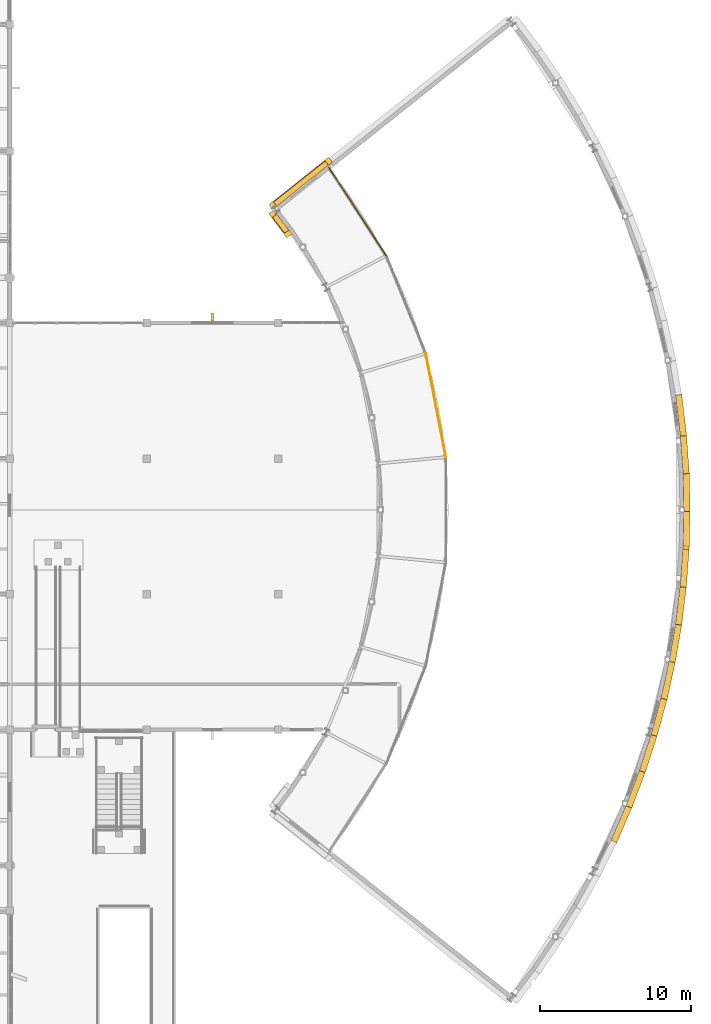
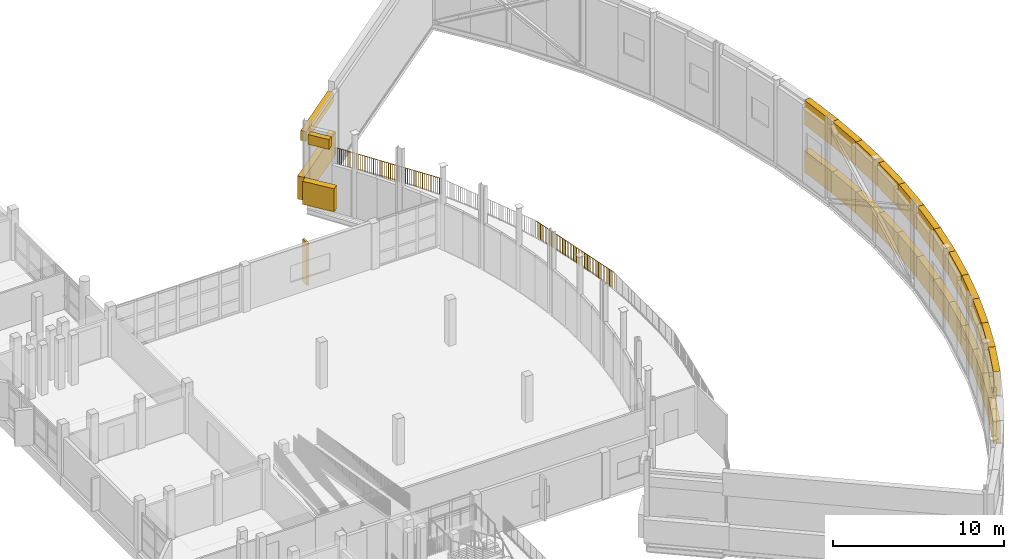
# One storey, part 103 of 104: 26 coverings, 3 shading devices, 2 railings.
"""IFC4 building model written with IfcOpenShell, lengths in metres."""

from ifc_helpers import new_model, si_unit, direction, frame, origin, origin_2d, place, context, subcontext, project, spatial, rectangle, circle, extrude, material, layer, layer_set, type_object, element, save


model = new_model("IFC4")

# Units and contexts
model_context = context("Model", 3, precision=1e-05, world=origin(), true_north=direction((0.0, 1.0)))
body_context = subcontext(model_context, "Body", "Model", "MODEL_VIEW")
ifc_project = project(units=[si_unit("LENGTHUNIT", "METRE"), si_unit("AREAUNIT", "SQUARE_METRE"), si_unit("VOLUMEUNIT", "CUBIC_METRE"), si_unit("PLANEANGLEUNIT", "RADIAN"), si_unit("MASSUNIT", "GRAM", prefix="KILO")], contexts=[model_context])

# Site, building, storey
site_placement = place(None, origin())
site = spatial("IfcSite", under=ifc_project, at=site_placement, CompositionType="ELEMENT")
building_placement = place(site_placement, origin())
building = spatial("IfcBuilding", under=site, at=building_placement, Name="Vanh Quang Courtyard School", CompositionType="ELEMENT")
storey_placement = place(building_placement, frame((0.0, 0.0, 4.199951171875)))
storey = spatial("IfcBuildingStorey", under=building, at=storey_placement, Name="L01", CompositionType="ELEMENT", Elevation=4.199951171875)

# Coverings
ifc_material_1 = material(Name="White precast concrete C40/50", Category="concrete")
ifc_layer = layer(ifc_material_1, 0.419921875)
ifc_layer_set = layer_set([ifc_layer], Name="White precast concrete C40/50")
covering_type = type_object("IfcCoveringType", Name="COV-CLAD-WHITE", PredefinedType="CLADDING", material=ifc_layer_set)
covering_1_placement = place(storey_placement, frame((137.348388671875, 74.970947265625, 0.3251953125), z_axis=(0.0, 0.0, 1.0), x_axis=(-0.603486360302, 0.797373320929, 0.0)))
element("IfcCovering", 1, at=covering_1_placement, inside=storey, type_object=covering_type, Name="Covering CL-01 (L01)", PredefinedType="CLADDING", context=body_context, shape_type="SweptSolid", body=[
    extrude(rectangle(XDim=2.00927734375, YDim=0.419921875, at=origin_2d()), origin(), (0.0, 0.0, 1.0), 1.64990234375),
])
covering_2_placement = place(storey_placement, frame((138.703857421875, 77.662841796875, 0.3251953125), z_axis=(0.0, 0.0, 1.0), x_axis=(0.782608156852, 0.622514636638, 0.0)))
element("IfcCovering", 2, at=covering_2_placement, inside=storey, type_object=covering_type, Name="Covering CL-01 (L01)", PredefinedType="CLADDING", context=body_context, shape_type="SweptSolid", body=[
    extrude(rectangle(XDim=5.052001953125, YDim=0.419921875, at=origin_2d()), origin(), (0.0, 0.0, 1.0), 1.64990234375),
])
covering_3_placement = place(storey_placement, frame((160.021484375, 35.244140625, 0.47509765625), z_axis=(0.0, 0.0, 1.0), x_axis=(0.396827509647, 0.917893200535, 0.0)))
element("IfcCovering", 3, at=covering_3_placement, inside=storey, type_object=covering_type, Name="Covering CL-01 (L01)", PredefinedType="CLADDING", context=body_context, shape_type="SweptSolid", body=[
    extrude(rectangle(XDim=2.74560546875, YDim=0.419921875, at=origin_2d()), origin(), (0.0, 0.0, 1.0), 1.550048828125),
])
covering_4_placement = place(storey_placement, frame((160.021484375, 35.244140625, 3.875), z_axis=(0.0, 0.0, 1.0), x_axis=(0.396827509647, 0.917893200535, 0.0)))
element("IfcCovering", 4, at=covering_4_placement, inside=storey, type_object=covering_type, Name="Covering CL-01 (L01)", PredefinedType="CLADDING", context=body_context, shape_type="SweptSolid", body=[
    extrude(rectangle(XDim=2.74560546875, YDim=0.419921875, at=origin_2d()), origin(), (0.0, 0.0, 1.0), 1.75),
])
covering_5_placement = place(storey_placement, frame((160.9619140625, 37.572021484375, 0.47509765625), z_axis=(0.0, 0.0, 1.0), x_axis=(0.352168373381, 0.935936662809, 0.0)))
element("IfcCovering", 5, at=covering_5_placement, inside=storey, type_object=covering_type, Name="Covering CL-01 (L01)", PredefinedType="CLADDING", context=body_context, shape_type="SweptSolid", body=[
    extrude(rectangle(XDim=2.74560546875, YDim=0.419921875, at=origin_2d()), origin(), (0.0, 0.0, 1.0), 1.550048828125),
])
covering_6_placement = place(storey_placement, frame((160.9619140625, 37.572021484375, 3.875), z_axis=(0.0, 0.0, 1.0), x_axis=(0.352168373381, 0.935936662809, 0.0)))
element("IfcCovering", 6, at=covering_6_placement, inside=storey, type_object=covering_type, Name="Covering CL-01 (L01)", PredefinedType="CLADDING", context=body_context, shape_type="SweptSolid", body=[
    extrude(rectangle(XDim=2.74560546875, YDim=0.419921875, at=origin_2d()), origin(), (0.0, 0.0, 1.0), 1.75),
])
covering_7_placement = place(storey_placement, frame((161.789794921875, 39.9423828125, 0.47509765625), z_axis=(0.0, 0.0, 1.0), x_axis=(0.307024429971, 0.951701633602, 0.0)))
element("IfcCovering", 7, at=covering_7_placement, inside=storey, type_object=covering_type, Name="Covering CL-01 (L01)", PredefinedType="CLADDING", context=body_context, shape_type="SweptSolid", body=[
    extrude(rectangle(XDim=2.74560546875, YDim=0.419921875, at=origin_2d()), origin(), (0.0, 0.0, 1.0), 1.550048828125),
])
covering_8_placement = place(storey_placement, frame((161.789794921875, 39.9423828125, 3.875), z_axis=(0.0, 0.0, 1.0), x_axis=(0.307024429971, 0.951701633602, 0.0)))
element("IfcCovering", 8, at=covering_8_placement, inside=storey, type_object=covering_type, Name="Covering CL-01 (L01)", PredefinedType="CLADDING", context=body_context, shape_type="SweptSolid", body=[
    extrude(rectangle(XDim=2.74560546875, YDim=0.419921875, at=origin_2d()), origin(), (0.0, 0.0, 1.0), 1.75),
])
covering_9_placement = place(storey_placement, frame((162.502685546875, 42.349609375, 0.47509765625), z_axis=(0.0, 0.0, 1.0), x_axis=(0.261009993198, 0.965336098699, 0.0)))
element("IfcCovering", 9, at=covering_9_placement, inside=storey, type_object=covering_type, Name="Covering CL-01 (L01)", PredefinedType="CLADDING", context=body_context, shape_type="SweptSolid", body=[
    extrude(rectangle(XDim=2.74560546875, YDim=0.419921875, at=origin_2d()), origin(), (0.0, 0.0, 1.0), 1.550048828125),
])
covering_10_placement = place(storey_placement, frame((162.502685546875, 42.349609375, 3.875), z_axis=(0.0, 0.0, 1.0), x_axis=(0.261009993198, 0.965336098699, 0.0)))
element("IfcCovering", 10, at=covering_10_placement, inside=storey, type_object=covering_type, Name="Covering CL-01 (L01)", PredefinedType="CLADDING", context=body_context, shape_type="SweptSolid", body=[
    extrude(rectangle(XDim=2.74560546875, YDim=0.419921875, at=origin_2d()), origin(), (0.0, 0.0, 1.0), 1.75),
])
covering_11_placement = place(storey_placement, frame((163.099609375, 44.788330078125, 0.47509765625), z_axis=(0.0, 0.0, 1.0), x_axis=(0.214223913346, 0.976784579603, 0.0)))
element("IfcCovering", 11, at=covering_11_placement, inside=storey, type_object=covering_type, Name="Covering CL-01 (L01)", PredefinedType="CLADDING", context=body_context, shape_type="SweptSolid", body=[
    extrude(rectangle(XDim=2.74560546875, YDim=0.419921875, at=origin_2d()), origin(), (0.0, 0.0, 1.0), 1.550048828125),
])
covering_12_placement = place(storey_placement, frame((163.099609375, 44.788330078125, 3.875), z_axis=(0.0, 0.0, 1.0), x_axis=(0.214223913346, 0.976784579603, 0.0)))
element("IfcCovering", 12, at=covering_12_placement, inside=storey, type_object=covering_type, Name="Covering CL-01 (L01)", PredefinedType="CLADDING", context=body_context, shape_type="SweptSolid", body=[
    extrude(rectangle(XDim=2.74560546875, YDim=0.419921875, at=origin_2d()), origin(), (0.0, 0.0, 1.0), 1.75),
])
covering_13_placement = place(storey_placement, frame((163.57861328125, 47.2529296875, 0.47509765625), z_axis=(0.0, 0.0, 1.0), x_axis=(0.16728499015, 0.985908582005, 0.0)))
element("IfcCovering", 13, at=covering_13_placement, inside=storey, type_object=covering_type, Name="Covering CL-01 (L01)", PredefinedType="CLADDING", context=body_context, shape_type="SweptSolid", body=[
    extrude(rectangle(XDim=2.74560546875, YDim=0.419921875, at=origin_2d()), origin(), (0.0, 0.0, 1.0), 1.550048828125),
])
covering_14_placement = place(storey_placement, frame((163.57861328125, 47.2529296875, 3.875), z_axis=(0.0, 0.0, 1.0), x_axis=(0.16728499015, 0.985908582005, 0.0)))
element("IfcCovering", 14, at=covering_14_placement, inside=storey, type_object=covering_type, Name="Covering CL-01 (L01)", PredefinedType="CLADDING", context=body_context, shape_type="SweptSolid", body=[
    extrude(rectangle(XDim=2.74560546875, YDim=0.419921875, at=origin_2d()), origin(), (0.0, 0.0, 1.0), 1.75),
])
covering_15_placement = place(storey_placement, frame((163.93896484375, 49.73779296875, 0.47509765625), z_axis=(0.0, 0.0, 1.0), x_axis=(0.119617015862, 0.992820109343, 0.0)))
element("IfcCovering", 15, at=covering_15_placement, inside=storey, type_object=covering_type, Name="Covering CL-01 (L01)", PredefinedType="CLADDING", context=body_context, shape_type="SweptSolid", body=[
    extrude(rectangle(XDim=2.74560546875, YDim=0.419921875, at=origin_2d()), origin(), (0.0, 0.0, 1.0), 1.550048828125),
])
covering_16_placement = place(storey_placement, frame((163.93896484375, 49.73779296875, 3.875), z_axis=(0.0, 0.0, 1.0), x_axis=(0.119617015862, 0.992820109343, 0.0)))
element("IfcCovering", 16, at=covering_16_placement, inside=storey, type_object=covering_type, Name="Covering CL-01 (L01)", PredefinedType="CLADDING", context=body_context, shape_type="SweptSolid", body=[
    extrude(rectangle(XDim=2.74560546875, YDim=0.419921875, at=origin_2d()), origin(), (0.0, 0.0, 1.0), 1.75),
])
covering_17_placement = place(storey_placement, frame((164.179443359375, 52.23681640625, 0.47509765625), z_axis=(0.0, 0.0, 1.0), x_axis=(0.071845612485, 0.997415764848, 0.0)))
element("IfcCovering", 17, at=covering_17_placement, inside=storey, type_object=covering_type, Name="Covering CL-01 (L01)", PredefinedType="CLADDING", context=body_context, shape_type="SweptSolid", body=[
    extrude(rectangle(XDim=2.74560546875, YDim=0.419921875, at=origin_2d()), origin(), (0.0, 0.0, 1.0), 1.550048828125),
])
covering_18_placement = place(storey_placement, frame((164.179443359375, 52.23681640625, 3.875), z_axis=(0.0, 0.0, 1.0), x_axis=(0.071845612485, 0.997415764848, 0.0)))
element("IfcCovering", 18, at=covering_18_placement, inside=storey, type_object=covering_type, Name="Covering CL-01 (L01)", PredefinedType="CLADDING", context=body_context, shape_type="SweptSolid", body=[
    extrude(rectangle(XDim=2.74560546875, YDim=0.419921875, at=origin_2d()), origin(), (0.0, 0.0, 1.0), 1.75),
])
covering_19_placement = place(storey_placement, frame((164.300048828125, 54.74462890625, 0.47509765625), z_axis=(0.0, 0.0, 1.0), x_axis=(0.024083215021, 0.999709957315, 0.0)))
element("IfcCovering", 19, at=covering_19_placement, inside=storey, type_object=covering_type, Name="Covering CL-01 (L01)", PredefinedType="CLADDING", context=body_context, shape_type="SweptSolid", body=[
    extrude(rectangle(XDim=2.74560546875, YDim=0.419921875, at=origin_2d()), origin(), (0.0, 0.0, 1.0), 1.550048828125),
])
covering_20_placement = place(storey_placement, frame((164.300048828125, 54.74462890625, 3.875), z_axis=(0.0, 0.0, 1.0), x_axis=(0.024083215021, 0.999709957315, 0.0)))
element("IfcCovering", 20, at=covering_20_placement, inside=storey, type_object=covering_type, Name="Covering CL-01 (L01)", PredefinedType="CLADDING", context=body_context, shape_type="SweptSolid", body=[
    extrude(rectangle(XDim=2.74560546875, YDim=0.419921875, at=origin_2d()), origin(), (0.0, 0.0, 1.0), 1.75),
])
covering_21_placement = place(storey_placement, frame((164.300048828125, 57.25537109375, 0.47509765625), z_axis=(0.0, 0.0, 1.0), x_axis=(-0.024083215021, 0.999709957315, 0.0)))
element("IfcCovering", 21, at=covering_21_placement, inside=storey, type_object=covering_type, Name="Covering CL-01 (L01)", PredefinedType="CLADDING", context=body_context, shape_type="SweptSolid", body=[
    extrude(rectangle(XDim=2.74560546875, YDim=0.419921875, at=origin_2d()), origin(), (0.0, 0.0, 1.0), 1.550048828125),
])
covering_22_placement = place(storey_placement, frame((164.300048828125, 57.25537109375, 3.875), z_axis=(0.0, 0.0, 1.0), x_axis=(-0.024083215021, 0.999709957315, 0.0)))
element("IfcCovering", 22, at=covering_22_placement, inside=storey, type_object=covering_type, Name="Covering CL-01 (L01)", PredefinedType="CLADDING", context=body_context, shape_type="SweptSolid", body=[
    extrude(rectangle(XDim=2.74560546875, YDim=0.419921875, at=origin_2d()), origin(), (0.0, 0.0, 1.0), 1.75),
])
covering_23_placement = place(storey_placement, frame((164.179443359375, 59.76318359375, 0.47509765625), z_axis=(0.0, 0.0, 1.0), x_axis=(-0.071845612485, 0.997415764848, 0.0)))
element("IfcCovering", 23, at=covering_23_placement, inside=storey, type_object=covering_type, Name="Covering CL-01 (L01)", PredefinedType="CLADDING", context=body_context, shape_type="SweptSolid", body=[
    extrude(rectangle(XDim=2.74560546875, YDim=0.419921875, at=origin_2d()), origin(), (0.0, 0.0, 1.0), 1.550048828125),
])
covering_24_placement = place(storey_placement, frame((164.179443359375, 59.76318359375, 3.875), z_axis=(0.0, 0.0, 1.0), x_axis=(-0.071845612485, 0.997415764848, 0.0)))
element("IfcCovering", 24, at=covering_24_placement, inside=storey, type_object=covering_type, Name="Covering CL-01 (L01)", PredefinedType="CLADDING", context=body_context, shape_type="SweptSolid", body=[
    extrude(rectangle(XDim=2.74560546875, YDim=0.419921875, at=origin_2d()), origin(), (0.0, 0.0, 1.0), 1.75),
])
covering_25_placement = place(storey_placement, frame((163.93896484375, 62.26220703125, 0.47509765625), z_axis=(0.0, 0.0, 1.0), x_axis=(-0.119617015862, 0.992820109343, 0.0)))
element("IfcCovering", 25, at=covering_25_placement, inside=storey, type_object=covering_type, Name="Covering CL-01 (L01)", PredefinedType="CLADDING", context=body_context, shape_type="SweptSolid", body=[
    extrude(rectangle(XDim=2.74560546875, YDim=0.419921875, at=origin_2d()), origin(), (0.0, 0.0, 1.0), 1.550048828125),
])
covering_26_placement = place(storey_placement, frame((163.93896484375, 62.26220703125, 3.875), z_axis=(0.0, 0.0, 1.0), x_axis=(-0.119617015862, 0.992820109343, 0.0)))
element("IfcCovering", 26, at=covering_26_placement, inside=storey, type_object=covering_type, Name="Covering CL-01 (L01)", PredefinedType="CLADDING", context=body_context, shape_type="SweptSolid", body=[
    extrude(rectangle(XDim=2.74560546875, YDim=0.419921875, at=origin_2d()), origin(), (0.0, 0.0, 1.0), 1.75),
])

# Railings
ifc_material_2 = material(Name="Galvanised painted steel EN 10025-2 S355J2", Category="steel")
railing_type = type_object("IfcRailingType", Name="RAIL-GUARD-1150", PredefinedType="BALUSTRADE", material=ifc_material_2)
railing_1_placement = place(storey_placement, frame((148.33203125, 59.498291015625, 0.0)))
element("IfcRailing", 27, at=railing_1_placement, inside=storey, type_object=railing_type, Name="Railing GR-01 (L01)", PredefinedType="BALUSTRADE", context=body_context, shape_type="SweptSolid", body=[
    extrude(circle(Radius=0.02392578125, at=origin_2d()), frame((0.0, 0.0, 1.1259765625), z_axis=(-0.190825764709, 0.981623923671, 0.0), x_axis=(-0.981623923671, -0.190825764709, 0.0)), (0.0, 0.0, 1.0), 6.9970703125),
    extrude(circle(Radius=0.02099609375, at=origin_2d()), origin(), (0.0, 0.0, 1.0), 1.101806640625),
    extrude(circle(Radius=0.02099609375, at=origin_2d()), frame((-0.026611328125, 0.137451171875, 0.0)), (0.0, 0.0, 1.0), 1.101806640625),
    extrude(circle(Radius=0.02099609375, at=origin_2d()), frame((-0.053466796875, 0.274658203125, 0.0)), (0.0, 0.0, 1.0), 1.101806640625),
    extrude(circle(Radius=0.02099609375, at=origin_2d()), frame((-0.080078125, 0.412109375, 0.0)), (0.0, 0.0, 1.0), 1.101806640625),
    extrude(circle(Radius=0.02099609375, at=origin_2d()), frame((-0.10693359375, 0.549560546875, 0.0)), (0.0, 0.0, 1.0), 1.101806640625),
    extrude(circle(Radius=0.02099609375, at=origin_2d()), frame((-0.133544921875, 0.686767578125, 0.0)), (0.0, 0.0, 1.0), 1.101806640625),
    extrude(circle(Radius=0.02099609375, at=origin_2d()), frame((-0.16015625, 0.82421875, 0.0)), (0.0, 0.0, 1.0), 1.101806640625),
    extrude(circle(Radius=0.02099609375, at=origin_2d()), frame((-0.18701171875, 0.961669921875, 0.0)), (0.0, 0.0, 1.0), 1.101806640625),
    extrude(circle(Radius=0.02099609375, at=origin_2d()), frame((-0.213623046875, 1.098876953125, 0.0)), (0.0, 0.0, 1.0), 1.101806640625),
    extrude(circle(Radius=0.02099609375, at=origin_2d()), frame((-0.240234375, 1.236328125, 0.0)), (0.0, 0.0, 1.0), 1.101806640625),
    extrude(circle(Radius=0.02099609375, at=origin_2d()), frame((-0.26708984375, 1.373779296875, 0.0)), (0.0, 0.0, 1.0), 1.101806640625),
    extrude(circle(Radius=0.02099609375, at=origin_2d()), frame((-0.293701171875, 1.510986328125, 0.0)), (0.0, 0.0, 1.0), 1.101806640625),
    extrude(circle(Radius=0.02099609375, at=origin_2d()), frame((-0.320556640625, 1.6484375, 0.0)), (0.0, 0.0, 1.0), 1.101806640625),
    extrude(circle(Radius=0.02099609375, at=origin_2d()), frame((-0.34716796875, 1.785888671875, 0.0)), (0.0, 0.0, 1.0), 1.101806640625),
    extrude(circle(Radius=0.02099609375, at=origin_2d()), frame((-0.373779296875, 1.923095703125, 0.0)), (0.0, 0.0, 1.0), 1.101806640625),
    extrude(circle(Radius=0.02099609375, at=origin_2d()), frame((-0.400634765625, 2.060546875, 0.0)), (0.0, 0.0, 1.0), 1.101806640625),
    extrude(circle(Radius=0.02099609375, at=origin_2d()), frame((-0.42724609375, 2.197998046875, 0.0)), (0.0, 0.0, 1.0), 1.101806640625),
    extrude(circle(Radius=0.02099609375, at=origin_2d()), frame((-0.453857421875, 2.335205078125, 0.0)), (0.0, 0.0, 1.0), 1.101806640625),
    extrude(circle(Radius=0.02099609375, at=origin_2d()), frame((-0.480712890625, 2.47265625, 0.0)), (0.0, 0.0, 1.0), 1.101806640625),
    extrude(circle(Radius=0.02099609375, at=origin_2d()), frame((-0.50732421875, 2.610107421875, 0.0)), (0.0, 0.0, 1.0), 1.101806640625),
    extrude(circle(Radius=0.02099609375, at=origin_2d()), frame((-0.5341796875, 2.747314453125, 0.0)), (0.0, 0.0, 1.0), 1.101806640625),
    extrude(circle(Radius=0.02099609375, at=origin_2d()), frame((-0.560791015625, 2.884765625, 0.0)), (0.0, 0.0, 1.0), 1.101806640625),
    extrude(circle(Radius=0.02099609375, at=origin_2d()), frame((-0.58740234375, 3.022216796875, 0.0)), (0.0, 0.0, 1.0), 1.101806640625),
    extrude(circle(Radius=0.02099609375, at=origin_2d()), frame((-0.6142578125, 3.159423828125, 0.0)), (0.0, 0.0, 1.0), 1.101806640625),
    extrude(circle(Radius=0.02099609375, at=origin_2d()), frame((-0.640869140625, 3.296875, 0.0)), (0.0, 0.0, 1.0), 1.101806640625),
    extrude(circle(Radius=0.02099609375, at=origin_2d()), frame((-0.66748046875, 3.43408203125, 0.0)), (0.0, 0.0, 1.0), 1.101806640625),
    extrude(circle(Radius=0.02099609375, at=origin_2d()), frame((-0.6943359375, 3.571533203125, 0.0)), (0.0, 0.0, 1.0), 1.101806640625),
    extrude(circle(Radius=0.02099609375, at=origin_2d()), frame((-0.720947265625, 3.708984375, 0.0)), (0.0, 0.0, 1.0), 1.101806640625),
    extrude(circle(Radius=0.02099609375, at=origin_2d()), frame((-0.747802734375, 3.84619140625, 0.0)), (0.0, 0.0, 1.0), 1.101806640625),
    extrude(circle(Radius=0.02099609375, at=origin_2d()), frame((-0.7744140625, 3.983642578125, 0.0)), (0.0, 0.0, 1.0), 1.101806640625),
    extrude(circle(Radius=0.02099609375, at=origin_2d()), frame((-0.801025390625, 4.12109375, 0.0)), (0.0, 0.0, 1.0), 1.101806640625),
    extrude(circle(Radius=0.02099609375, at=origin_2d()), frame((-0.827880859375, 4.25830078125, 0.0)), (0.0, 0.0, 1.0), 1.101806640625),
    extrude(circle(Radius=0.02099609375, at=origin_2d()), frame((-0.8544921875, 4.395751953125, 0.0)), (0.0, 0.0, 1.0), 1.101806640625),
    extrude(circle(Radius=0.02099609375, at=origin_2d()), frame((-0.88134765625, 4.533203125, 0.0)), (0.0, 0.0, 1.0), 1.101806640625),
    extrude(circle(Radius=0.02099609375, at=origin_2d()), frame((-0.907958984375, 4.67041015625, 0.0)), (0.0, 0.0, 1.0), 1.101806640625),
    extrude(circle(Radius=0.02099609375, at=origin_2d()), frame((-0.9345703125, 4.807861328125, 0.0)), (0.0, 0.0, 1.0), 1.101806640625),
    extrude(circle(Radius=0.02099609375, at=origin_2d()), frame((-0.96142578125, 4.9453125, 0.0)), (0.0, 0.0, 1.0), 1.101806640625),
    extrude(circle(Radius=0.02099609375, at=origin_2d()), frame((-0.988037109375, 5.08251953125, 0.0)), (0.0, 0.0, 1.0), 1.101806640625),
    extrude(circle(Radius=0.02099609375, at=origin_2d()), frame((-1.0146484375, 5.219970703125, 0.0)), (0.0, 0.0, 1.0), 1.101806640625),
    extrude(circle(Radius=0.02099609375, at=origin_2d()), frame((-1.04150390625, 5.357421875, 0.0)), (0.0, 0.0, 1.0), 1.101806640625),
    extrude(circle(Radius=0.02099609375, at=origin_2d()), frame((-1.068115234375, 5.49462890625, 0.0)), (0.0, 0.0, 1.0), 1.101806640625),
    extrude(circle(Radius=0.02099609375, at=origin_2d()), frame((-1.094970703125, 5.632080078125, 0.0)), (0.0, 0.0, 1.0), 1.101806640625),
    extrude(circle(Radius=0.02099609375, at=origin_2d()), frame((-1.12158203125, 5.76953125, 0.0)), (0.0, 0.0, 1.0), 1.101806640625),
    extrude(circle(Radius=0.02099609375, at=origin_2d()), frame((-1.148193359375, 5.90673828125, 0.0)), (0.0, 0.0, 1.0), 1.101806640625),
    extrude(circle(Radius=0.02099609375, at=origin_2d()), frame((-1.175048828125, 6.044189453125, 0.0)), (0.0, 0.0, 1.0), 1.101806640625),
    extrude(circle(Radius=0.02099609375, at=origin_2d()), frame((-1.20166015625, 6.181640625, 0.0)), (0.0, 0.0, 1.0), 1.101806640625),
    extrude(circle(Radius=0.02099609375, at=origin_2d()), frame((-1.228271484375, 6.31884765625, 0.0)), (0.0, 0.0, 1.0), 1.101806640625),
    extrude(circle(Radius=0.02099609375, at=origin_2d()), frame((-1.255126953125, 6.456298828125, 0.0)), (0.0, 0.0, 1.0), 1.101806640625),
    extrude(circle(Radius=0.02099609375, at=origin_2d()), frame((-1.28173828125, 6.59375, 0.0)), (0.0, 0.0, 1.0), 1.101806640625),
    extrude(circle(Radius=0.02099609375, at=origin_2d()), frame((-1.30859375, 6.73095703125, 0.0)), (0.0, 0.0, 1.0), 1.101806640625),
    extrude(circle(Radius=0.02099609375, at=origin_2d()), frame((-1.335205078125, 6.868408203125, 0.0)), (0.0, 0.0, 1.0), 1.101806640625),
])
railing_2_placement = place(storey_placement, frame((144.3759765625, 72.853759765625, 0.0)))
element("IfcRailing", 28, at=railing_2_placement, inside=storey, type_object=railing_type, Name="Railing GR-01 (L01)", PredefinedType="BALUSTRADE", context=body_context, shape_type="SweptSolid", body=[
    extrude(circle(Radius=0.02392578125, at=origin_2d()), frame((0.0, 0.0, 1.1259765625), z_axis=(-0.544651024109, 0.838662782015, 0.0), x_axis=(-0.838662782015, -0.544651024109, 0.0)), (0.0, 0.0, 1.0), 6.996826171875),
    extrude(circle(Radius=0.02099609375, at=origin_2d()), origin(), (0.0, 0.0, 1.0), 1.101806640625),
    extrude(circle(Radius=0.02099609375, at=origin_2d()), frame((-0.076171875, 0.117431640625, 0.0)), (0.0, 0.0, 1.0), 1.101806640625),
    extrude(circle(Radius=0.02099609375, at=origin_2d()), frame((-0.15234375, 0.234619140625, 0.0)), (0.0, 0.0, 1.0), 1.101806640625),
    extrude(circle(Radius=0.02099609375, at=origin_2d()), frame((-0.228759765625, 0.35205078125, 0.0)), (0.0, 0.0, 1.0), 1.101806640625),
    extrude(circle(Radius=0.02099609375, at=origin_2d()), frame((-0.304931640625, 0.469482421875, 0.0)), (0.0, 0.0, 1.0), 1.101806640625),
    extrude(circle(Radius=0.02099609375, at=origin_2d()), frame((-0.381103515625, 0.5869140625, 0.0)), (0.0, 0.0, 1.0), 1.101806640625),
    extrude(circle(Radius=0.02099609375, at=origin_2d()), frame((-0.457275390625, 0.7041015625, 0.0)), (0.0, 0.0, 1.0), 1.101806640625),
    extrude(circle(Radius=0.02099609375, at=origin_2d()), frame((-0.533447265625, 0.821533203125, 0.0)), (0.0, 0.0, 1.0), 1.101806640625),
    extrude(circle(Radius=0.02099609375, at=origin_2d()), frame((-0.609619140625, 0.93896484375, 0.0)), (0.0, 0.0, 1.0), 1.101806640625),
    extrude(circle(Radius=0.02099609375, at=origin_2d()), frame((-0.68603515625, 1.05615234375, 0.0)), (0.0, 0.0, 1.0), 1.101806640625),
    extrude(circle(Radius=0.02099609375, at=origin_2d()), frame((-0.76220703125, 1.173583984375, 0.0)), (0.0, 0.0, 1.0), 1.101806640625),
    extrude(circle(Radius=0.02099609375, at=origin_2d()), frame((-0.83837890625, 1.291015625, 0.0)), (0.0, 0.0, 1.0), 1.101806640625),
    extrude(circle(Radius=0.02099609375, at=origin_2d()), frame((-0.91455078125, 1.408203125, 0.0)), (0.0, 0.0, 1.0), 1.101806640625),
    extrude(circle(Radius=0.02099609375, at=origin_2d()), frame((-0.99072265625, 1.525634765625, 0.0)), (0.0, 0.0, 1.0), 1.101806640625),
    extrude(circle(Radius=0.02099609375, at=origin_2d()), frame((-1.067138671875, 1.64306640625, 0.0)), (0.0, 0.0, 1.0), 1.101806640625),
    extrude(circle(Radius=0.02099609375, at=origin_2d()), frame((-1.143310546875, 1.76025390625, 0.0)), (0.0, 0.0, 1.0), 1.101806640625),
    extrude(circle(Radius=0.02099609375, at=origin_2d()), frame((-1.219482421875, 1.877685546875, 0.0)), (0.0, 0.0, 1.0), 1.101806640625),
    extrude(circle(Radius=0.02099609375, at=origin_2d()), frame((-1.295654296875, 1.9951171875, 0.0)), (0.0, 0.0, 1.0), 1.101806640625),
    extrude(circle(Radius=0.02099609375, at=origin_2d()), frame((-1.371826171875, 2.112548828125, 0.0)), (0.0, 0.0, 1.0), 1.101806640625),
    extrude(circle(Radius=0.02099609375, at=origin_2d()), frame((-1.447998046875, 2.229736328125, 0.0)), (0.0, 0.0, 1.0), 1.101806640625),
    extrude(circle(Radius=0.02099609375, at=origin_2d()), frame((-1.5244140625, 2.34716796875, 0.0)), (0.0, 0.0, 1.0), 1.101806640625),
    extrude(circle(Radius=0.02099609375, at=origin_2d()), frame((-1.6005859375, 2.464599609375, 0.0)), (0.0, 0.0, 1.0), 1.101806640625),
    extrude(circle(Radius=0.02099609375, at=origin_2d()), frame((-1.6767578125, 2.581787109375, 0.0)), (0.0, 0.0, 1.0), 1.101806640625),
    extrude(circle(Radius=0.02099609375, at=origin_2d()), frame((-1.7529296875, 2.69921875, 0.0)), (0.0, 0.0, 1.0), 1.101806640625),
    extrude(circle(Radius=0.02099609375, at=origin_2d()), frame((-1.8291015625, 2.816650390625, 0.0)), (0.0, 0.0, 1.0), 1.101806640625),
    extrude(circle(Radius=0.02099609375, at=origin_2d()), frame((-1.9052734375, 2.93408203125, 0.0)), (0.0, 0.0, 1.0), 1.101806640625),
    extrude(circle(Radius=0.02099609375, at=origin_2d()), frame((-1.981689453125, 3.05126953125, 0.0)), (0.0, 0.0, 1.0), 1.101806640625),
    extrude(circle(Radius=0.02099609375, at=origin_2d()), frame((-2.057861328125, 3.168701171875, 0.0)), (0.0, 0.0, 1.0), 1.101806640625),
    extrude(circle(Radius=0.02099609375, at=origin_2d()), frame((-2.134033203125, 3.2861328125, 0.0)), (0.0, 0.0, 1.0), 1.101806640625),
    extrude(circle(Radius=0.02099609375, at=origin_2d()), frame((-2.210205078125, 3.4033203125, 0.0)), (0.0, 0.0, 1.0), 1.101806640625),
    extrude(circle(Radius=0.02099609375, at=origin_2d()), frame((-2.286376953125, 3.520751953125, 0.0)), (0.0, 0.0, 1.0), 1.101806640625),
    extrude(circle(Radius=0.02099609375, at=origin_2d()), frame((-2.36279296875, 3.63818359375, 0.0)), (0.0, 0.0, 1.0), 1.101806640625),
    extrude(circle(Radius=0.02099609375, at=origin_2d()), frame((-2.43896484375, 3.75537109375, 0.0)), (0.0, 0.0, 1.0), 1.101806640625),
    extrude(circle(Radius=0.02099609375, at=origin_2d()), frame((-2.51513671875, 3.872802734375, 0.0)), (0.0, 0.0, 1.0), 1.101806640625),
    extrude(circle(Radius=0.02099609375, at=origin_2d()), frame((-2.59130859375, 3.990234375, 0.0)), (0.0, 0.0, 1.0), 1.101806640625),
    extrude(circle(Radius=0.02099609375, at=origin_2d()), frame((-2.66748046875, 4.107421875, 0.0)), (0.0, 0.0, 1.0), 1.101806640625),
    extrude(circle(Radius=0.02099609375, at=origin_2d()), frame((-2.74365234375, 4.224853515625, 0.0)), (0.0, 0.0, 1.0), 1.101806640625),
    extrude(circle(Radius=0.02099609375, at=origin_2d()), frame((-2.820068359375, 4.34228515625, 0.0)), (0.0, 0.0, 1.0), 1.101806640625),
    extrude(circle(Radius=0.02099609375, at=origin_2d()), frame((-2.896240234375, 4.459716796875, 0.0)), (0.0, 0.0, 1.0), 1.101806640625),
    extrude(circle(Radius=0.02099609375, at=origin_2d()), frame((-2.972412109375, 4.576904296875, 0.0)), (0.0, 0.0, 1.0), 1.101806640625),
    extrude(circle(Radius=0.02099609375, at=origin_2d()), frame((-3.048583984375, 4.6943359375, 0.0)), (0.0, 0.0, 1.0), 1.101806640625),
    extrude(circle(Radius=0.02099609375, at=origin_2d()), frame((-3.124755859375, 4.811767578125, 0.0)), (0.0, 0.0, 1.0), 1.101806640625),
    extrude(circle(Radius=0.02099609375, at=origin_2d()), frame((-3.201171875, 4.928955078125, 0.0)), (0.0, 0.0, 1.0), 1.101806640625),
    extrude(circle(Radius=0.02099609375, at=origin_2d()), frame((-3.27734375, 5.04638671875, 0.0)), (0.0, 0.0, 1.0), 1.101806640625),
    extrude(circle(Radius=0.02099609375, at=origin_2d()), frame((-3.353515625, 5.163818359375, 0.0)), (0.0, 0.0, 1.0), 1.101806640625),
    extrude(circle(Radius=0.02099609375, at=origin_2d()), frame((-3.4296875, 5.28125, 0.0)), (0.0, 0.0, 1.0), 1.101806640625),
    extrude(circle(Radius=0.02099609375, at=origin_2d()), frame((-3.505859375, 5.3984375, 0.0)), (0.0, 0.0, 1.0), 1.101806640625),
    extrude(circle(Radius=0.02099609375, at=origin_2d()), frame((-3.58203125, 5.515869140625, 0.0)), (0.0, 0.0, 1.0), 1.101806640625),
    extrude(circle(Radius=0.02099609375, at=origin_2d()), frame((-3.658447265625, 5.63330078125, 0.0)), (0.0, 0.0, 1.0), 1.101806640625),
    extrude(circle(Radius=0.02099609375, at=origin_2d()), frame((-3.734619140625, 5.75048828125, 0.0)), (0.0, 0.0, 1.0), 1.101806640625),
    extrude(circle(Radius=0.02099609375, at=origin_2d()), frame((-3.810791015625, 5.867919921875, 0.0)), (0.0, 0.0, 1.0), 1.101806640625),
])

# Shading devices
ifc_material_3 = material(Name="Board-marked precast concrete C40/50", Category="concrete")
shading_device_type_1 = type_object("IfcShadingDeviceType", Name="SHD-FIN-CONCRETE", PredefinedType="USERDEFINED", material=ifc_material_3)
shading_device_1_placement = place(storey_placement, frame((132.85009765625, 68.794921875, 0.150146484375), z_axis=(0.0, 0.0, 1.0), x_axis=(1.0, 0.0, 0.0)))
element("IfcShadingDevice", 29, at=shading_device_1_placement, inside=storey, type_object=shading_device_type_1, Name="Solar Shading SH-02 (L01)", ObjectType="Solar Shading SH-02 (L01)", PredefinedType="USERDEFINED", context=body_context, shape_type="SweptSolid", body=[
    extrude(rectangle(XDim=0.139892578125, YDim=0.550048828125, at=origin_2d()), origin(), (0.0, 0.0, 1.0), 3.02001953125),
])
ifc_material_4 = material(Name="Anodised aluminium storm louvre", Category="aluminium")
shading_device_type_2 = type_object("IfcShadingDeviceType", Name="SHD-LOUVRE-STORM", PredefinedType="JALOUSIE", material=ifc_material_4)
shading_device_2_placement = place(storey_placement, frame((137.368408203125, 74.986083984375, 4.66015625), z_axis=(0.0, 0.0, 1.0), x_axis=(-0.603486360302, 0.797373320929, 0.0)))
element("IfcShadingDevice", 30, at=shading_device_2_placement, inside=storey, type_object=shading_device_type_2, Name="Solar Shading SH-01 (L01)", PredefinedType="JALOUSIE", context=body_context, shape_type="SweptSolid", body=[
    extrude(rectangle(XDim=1.329345703125, YDim=0.35009765625, at=origin_2d()), origin(), (0.0, 0.0, 1.0), 0.699951171875),
])
shading_device_3_placement = place(storey_placement, frame((138.71923828125, 77.643310546875, 4.3203125), z_axis=(0.0, 0.0, 1.0), x_axis=(0.782608156852, 0.622514636638, 0.0)))
element("IfcShadingDevice", 31, at=shading_device_3_placement, inside=storey, type_object=shading_device_type_2, Name="Solar Shading SH-01 (L01)", PredefinedType="JALOUSIE", context=body_context, shape_type="SweptSolid", body=[
    extrude(rectangle(XDim=4.3720703125, YDim=0.35009765625, at=origin_2d()), origin(), (0.0, 0.0, 1.0), 0.699951171875),
])

save(model, "model.ifc")
